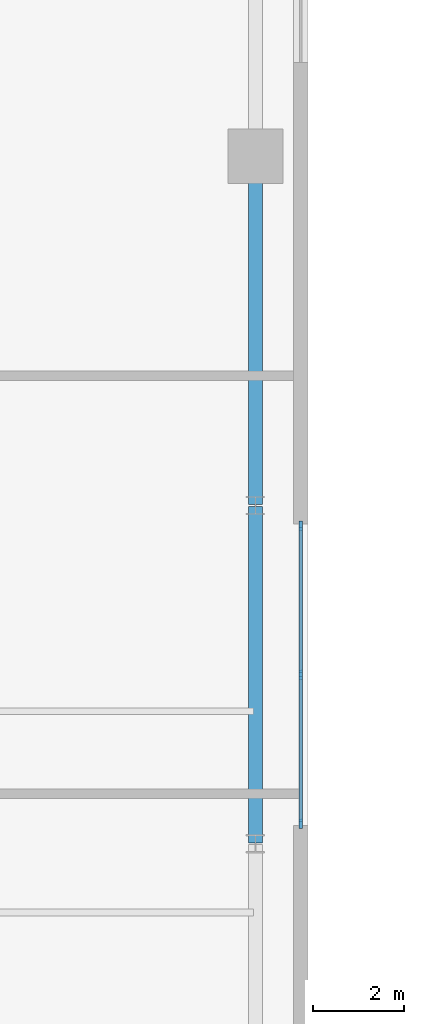
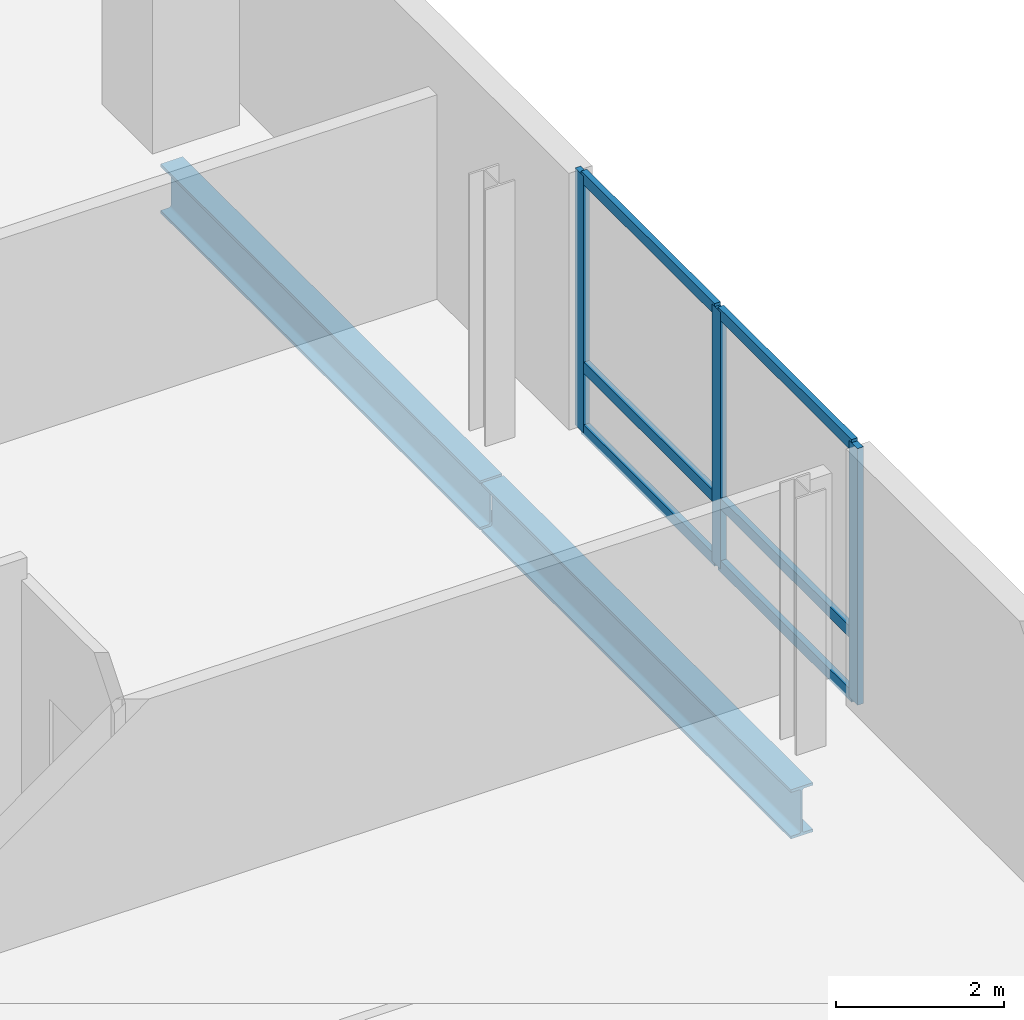
# One storey, part 5 of 15: 9 members, 2 beams, 1 element without a shape of its own.
"""IFC4 building model written with IfcOpenShell, lengths in metres."""

from ifc_helpers import new_model, si_unit, direction, frame, origin, origin_2d, place, context, subcontext, project, spatial, rectangle, i_section, extrude, source, transform, mapped, material, material_profile, profile_set, type_object, element, aggregate, save


model = new_model("IFC4")

# Units and contexts
model_context = context("Model", 3, precision=1e-05, world=origin(), true_north=direction((0.0, 1.0)))
body_context = subcontext(model_context, "Body", "Model", "MODEL_VIEW")
ifc_project = project(units=[si_unit("LENGTHUNIT", "METRE"), si_unit("AREAUNIT", "SQUARE_METRE"), si_unit("VOLUMEUNIT", "CUBIC_METRE"), si_unit("PLANEANGLEUNIT", "RADIAN"), si_unit("MASSUNIT", "GRAM", prefix="KILO")], contexts=[model_context])

# Site, building, storey
site_placement = place(None, origin())
site = spatial("IfcSite", under=ifc_project, at=site_placement, CompositionType="ELEMENT")
building_placement = place(site_placement, origin())
building = spatial("IfcBuilding", under=site, at=building_placement, Name="Vardaveli Station Tower", CompositionType="ELEMENT")
storey_placement = place(building_placement, frame((0.0, 0.0, 242.699951171875)))
storey = spatial("IfcBuildingStorey", under=building, at=storey_placement, Name="L62", CompositionType="ELEMENT", Elevation=242.699951171875)

# Beams
ifc_material_1 = material(Name="Structural steel S460M", Category="steel")
ifc_material_profile_1 = material_profile(ifc_material_1, i_section(OverallWidth=0.303955078125, OverallDepth=0.716064453125, WebThickness=0.02099609375, FlangeThickness=0.0400390625, FilletRadius=0.027099609375, at=origin_2d()), Name="HEM 700")
ifc_profile_set_1 = profile_set([ifc_material_profile_1], Name="Structural steel S460M")
beam_type = type_object("IfcBeamType", Name="BM-HEM700", PredefinedType="BEAM", material=ifc_profile_set_1)
shared_shape_1 = source(origin(), body_context, "Body", "SweptSolid", [
    extrude(i_section(OverallWidth=0.303955078125, OverallDepth=0.716064453125, WebThickness=0.02099609375, FlangeThickness=0.0400390625, FilletRadius=0.027099609375, at=origin_2d()), origin(), (0.0, 0.0, 1.0), 7.60009765625),
])
beam_1_placement = place(storey_placement, frame((61.25, 28.919921875, -1.008056640625), z_axis=(0.0, 1.0, 0.0), x_axis=(-1.0, 0.0, 0.0)))
element("IfcBeam", 1, at=beam_1_placement, inside=storey, type_object=beam_type, Name="RBM-L62-09", PredefinedType="BEAM", context=body_context, shape_type="MappedRepresentation", body=[
    mapped(shared_shape_1, transform((0.0, 0.0, 0.0), scale=1.0)),
])
shared_shape_2 = source(origin(), body_context, "Body", "SweptSolid", [
    extrude(i_section(OverallWidth=0.303955078125, OverallDepth=0.716064453125, WebThickness=0.02099609375, FlangeThickness=0.0400390625, FilletRadius=0.027099609375, at=origin_2d()), origin(), (0.0, 0.0, 1.0), 7.35986328125),
])
beam_2_placement = place(storey_placement, frame((61.25, 21.52001953125, -1.008056640625), z_axis=(0.0, 1.0, 0.0), x_axis=(-1.0, 0.0, 0.0)))
element("IfcBeam", 2, at=beam_2_placement, inside=storey, type_object=beam_type, Name="RBM-L62-08", PredefinedType="BEAM", context=body_context, shape_type="MappedRepresentation", body=[
    mapped(shared_shape_2, transform((0.0, 0.0, 0.0), scale=1.0)),
])

# Curtain wall, members
ifc_material_2 = material(Name="Travertine stone and solar-control glass", Category="masonry")
curtain_wall_type = type_object("IfcCurtainWallType", Name="CW-SYS-5", PredefinedType="NOTDEFINED", material=ifc_material_2)
curtain_wall_placement = place(storey_placement, origin())
curtain_wall = element("IfcCurtainWall", 3, at=curtain_wall_placement, inside=storey, type_object=curtain_wall_type, Name="CW-L62-E", PredefinedType="NOTDEFINED")
ifc_material_3 = material(Name="Anodised aluminium alloy 6063-T6", Category="aluminium")
ifc_material_profile_2 = material_profile(ifc_material_3, rectangle(XDim=0.080078125, YDim=0.1650390625, at=origin_2d()), Name="CWT 80x165")
ifc_profile_set_2 = profile_set([ifc_material_profile_2], Name="Anodised aluminium alloy 6063-T6")
member_type_1 = type_object("IfcMemberType", Name="CW-SYS-5-TRAN", PredefinedType="NOTDEFINED", material=ifc_profile_set_2)
shared_shape_3 = source(origin(), body_context, "Body", "SweptSolid", [
    extrude(rectangle(XDim=0.080078125, YDim=0.1650390625, at=origin_2d()), origin(), (0.0, 0.0, 1.0), 3.179931640625),
])
member_1_placement = place(storey_placement, frame((62.239990234375, 21.97998046875, 0.0400390625), z_axis=(0.0, 1.0, 0.0), x_axis=(-1.0, 0.0, 0.0)))
member_1 = element("IfcMember", 4, at=member_1_placement, type_object=member_type_1, Name="CW-5 transom 1.1", ObjectType="TRANSOM", PredefinedType="USERDEFINED", context=body_context, shape_type="MappedRepresentation", body=[
    mapped(shared_shape_3, transform((0.0, 0.0, 0.0), scale=1.0)),
])
member_2_placement = place(storey_placement, frame((62.239990234375, 21.97998046875, 0.949951171875), z_axis=(0.0, 1.0, 0.0), x_axis=(-1.0, 0.0, 0.0)))
member_2 = element("IfcMember", 5, at=member_2_placement, type_object=member_type_1, Name="CW-5 transom 1.2", ObjectType="TRANSOM", PredefinedType="USERDEFINED", context=body_context, shape_type="MappedRepresentation", body=[
    mapped(shared_shape_3, transform((0.0, 0.0, 0.0), scale=1.0)),
])
member_3_placement = place(storey_placement, frame((62.239990234375, 21.97998046875, 3.68994140625), z_axis=(0.0, 1.0, 0.0), x_axis=(-1.0, 0.0, 0.0)))
member_3 = element("IfcMember", 6, at=member_3_placement, type_object=member_type_1, Name="CW-5 transom 1.3", ObjectType="TRANSOM", PredefinedType="USERDEFINED", context=body_context, shape_type="MappedRepresentation", body=[
    mapped(shared_shape_3, transform((0.0, 0.0, 0.0), scale=1.0)),
])
member_4_placement = place(storey_placement, frame((62.239990234375, 25.239990234375, 0.0400390625), z_axis=(0.0, 1.0, 0.0), x_axis=(-1.0, 0.0, 0.0)))
member_4 = element("IfcMember", 7, at=member_4_placement, type_object=member_type_1, Name="CW-5 transom 2.1", ObjectType="TRANSOM", PredefinedType="USERDEFINED", context=body_context, shape_type="MappedRepresentation", body=[
    mapped(shared_shape_3, transform((0.0, 0.0, 0.0), scale=1.0)),
])
member_5_placement = place(storey_placement, frame((62.239990234375, 25.239990234375, 0.949951171875), z_axis=(0.0, 1.0, 0.0), x_axis=(-1.0, 0.0, 0.0)))
member_5 = element("IfcMember", 8, at=member_5_placement, type_object=member_type_1, Name="CW-5 transom 2.2", ObjectType="TRANSOM", PredefinedType="USERDEFINED", context=body_context, shape_type="MappedRepresentation", body=[
    mapped(shared_shape_3, transform((0.0, 0.0, 0.0), scale=1.0)),
])
member_6_placement = place(storey_placement, frame((62.239990234375, 25.239990234375, 3.68994140625), z_axis=(0.0, 1.0, 0.0), x_axis=(-1.0, 0.0, 0.0)))
member_6 = element("IfcMember", 9, at=member_6_placement, type_object=member_type_1, Name="CW-5 transom 2.3", ObjectType="TRANSOM", PredefinedType="USERDEFINED", context=body_context, shape_type="MappedRepresentation", body=[
    mapped(shared_shape_3, transform((0.0, 0.0, 0.0), scale=1.0)),
])
ifc_material_profile_3 = material_profile(ifc_material_3, rectangle(XDim=0.080078125, YDim=0.205078125, at=origin_2d()), Name="CWM 80x205")
ifc_profile_set_3 = profile_set([ifc_material_profile_3], Name="Anodised aluminium alloy 6063-T6")
member_type_2 = type_object("IfcMemberType", Name="CW-SYS-5-MULL", PredefinedType="MULLION", material=ifc_profile_set_3)
shared_shape_4 = source(origin(), body_context, "Body", "SweptSolid", [
    extrude(rectangle(XDim=0.080078125, YDim=0.205078125, at=origin_2d()), origin(), (0.0, 0.0, 1.0), 3.72998046875),
])
member_7_placement = place(storey_placement, frame((62.239990234375, 21.93994140625, 0.0), z_axis=(0.0, 0.0, 1.0), x_axis=(-1.0, 0.0, 0.0)))
member_7 = element("IfcMember", 10, at=member_7_placement, type_object=member_type_2, Name="CW-5 mullion 1", PredefinedType="MULLION", context=body_context, shape_type="MappedRepresentation", body=[
    mapped(shared_shape_4, transform((0.0, 0.0, 0.0), scale=1.0)),
])
member_8_placement = place(storey_placement, frame((62.239990234375, 25.199951171875, 0.0), z_axis=(0.0, 0.0, 1.0), x_axis=(-1.0, 0.0, 0.0)))
member_8 = element("IfcMember", 11, at=member_8_placement, type_object=member_type_2, Name="CW-5 mullion 2", PredefinedType="MULLION", context=body_context, shape_type="MappedRepresentation", body=[
    mapped(shared_shape_4, transform((0.0, 0.0, 0.0), scale=1.0)),
])
member_9_placement = place(storey_placement, frame((62.239990234375, 28.4599609375, 0.0), z_axis=(0.0, 0.0, 1.0), x_axis=(-1.0, 0.0, 0.0)))
member_9 = element("IfcMember", 12, at=member_9_placement, type_object=member_type_2, Name="CW-5 mullion 3", PredefinedType="MULLION", context=body_context, shape_type="MappedRepresentation", body=[
    mapped(shared_shape_4, transform((0.0, 0.0, 0.0), scale=1.0)),
])
aggregate(curtain_wall, [member_7, member_8, member_9, member_1, member_2, member_3, member_4, member_5, member_6])

save(model, "model.ifc")
